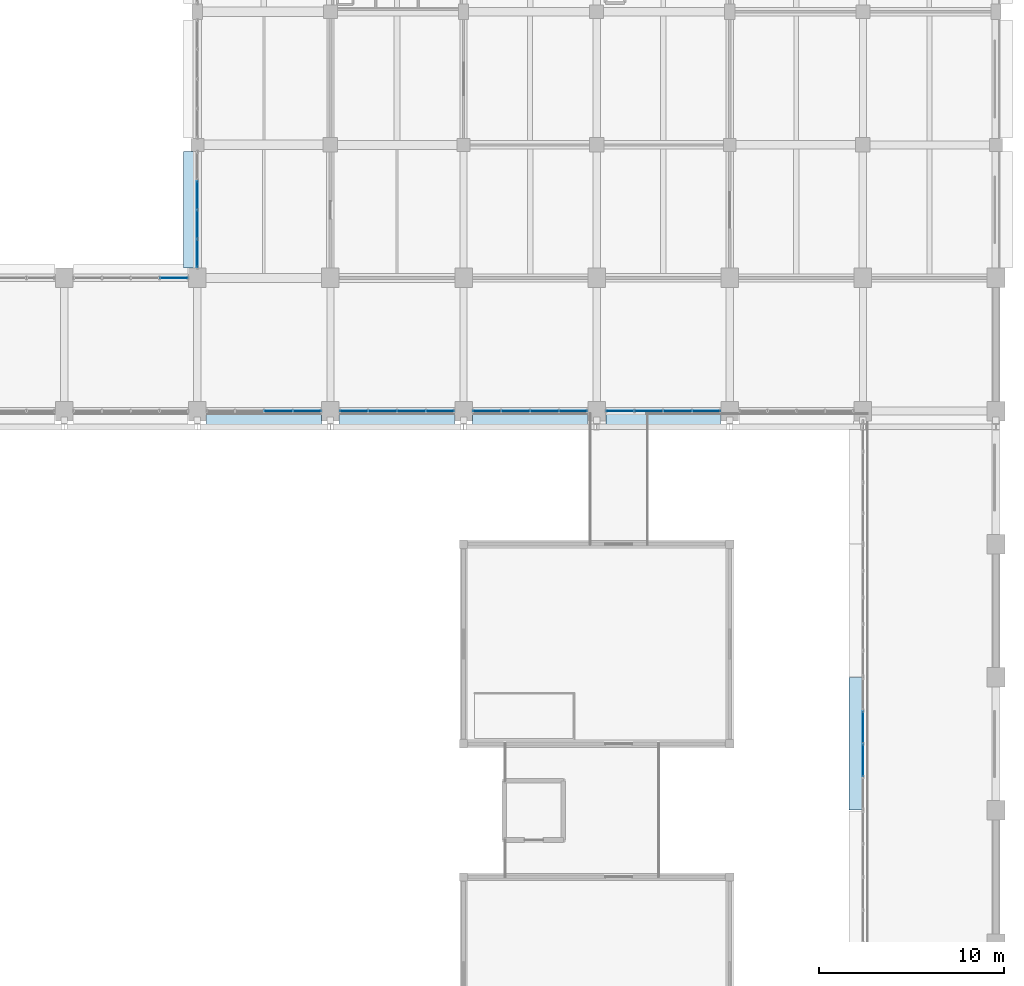
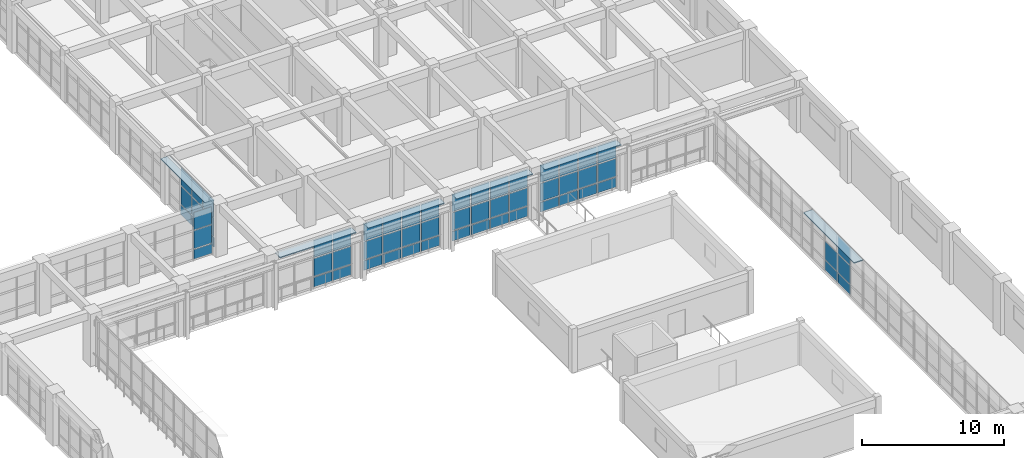
# One storey, part 142 of 171: 65 plates, 7 elements without a shape of their own.
"""IFC4 building model written with IfcOpenShell, lengths in metres."""

from ifc_helpers import new_model, si_unit, direction, frame, origin, origin_2d, place, context, subcontext, project, spatial, rectangle, extrude, material, layer, layer_set, type_object, element, aggregate, save


model = new_model("IFC4")

# Units and contexts
model_context = context("Model", 3, precision=1e-05, world=origin(), true_north=direction((0.0, 1.0)))
body_context = subcontext(model_context, "Body", "Model", "MODEL_VIEW")
ifc_project = project(units=[si_unit("LENGTHUNIT", "METRE"), si_unit("AREAUNIT", "SQUARE_METRE"), si_unit("VOLUMEUNIT", "CUBIC_METRE"), si_unit("PLANEANGLEUNIT", "RADIAN"), si_unit("MASSUNIT", "GRAM", prefix="KILO")], contexts=[model_context])

# Site, building, storey
site_placement = place(None, origin())
site = spatial("IfcSite", under=ifc_project, at=site_placement, CompositionType="ELEMENT")
building_placement = place(site_placement, origin())
building = spatial("IfcBuilding", under=site, at=building_placement, Name="Thalmaran Polytechnic", CompositionType="ELEMENT")
storey_placement = place(building_placement, frame((0.0, 0.0, 5.39990234375)))
storey = spatial("IfcBuildingStorey", under=building, at=storey_placement, Name="L01", CompositionType="ELEMENT", Elevation=5.39990234375)

# Plates
ifc_material_1 = material(Name="Anodised aluminium sun-hood eyebrow", Category="aluminium")
ifc_layer_1 = layer(ifc_material_1, 0.0849609375, Name="Anodised aluminium sun-hood eyebrow")
ifc_layer_set_1 = layer_set([ifc_layer_1], Name="Anodised aluminium sun-hood eyebrow")
plate_type_1 = type_object("IfcPlateType", Name="PT-EB01", PredefinedType="SHEET", material=ifc_layer_set_1)
plate_1_placement = place(storey_placement, frame((165.239990234375, 32.39990234375, 4.107666015625), z_axis=(0.0, 0.0, 1.0), x_axis=(0.0, 1.0, 0.0)))
element("IfcPlate", 1, at=plate_1_placement, inside=storey, type_object=plate_type_1, Name="Streamline Sun-Hood Eyebrow L01-CW121", PredefinedType="SHEET", context=body_context, shape_type="SweptSolid", body=[
    extrude(rectangle(XDim=7.159912109375, YDim=0.760009765625, at=origin_2d()), origin(), (0.0, 0.0, 1.0), 0.0849609375),
])
for number, where, z_axis, x_axis, name in (
    (2, (154.800048828125, 50.0400390625, 4.107666015625), (0.0, 0.0, 1.0), (-1.0, 0.0, 0.0), "Streamline Sun-Hood Eyebrow L01-CW125"),
    (3, (147.60009765625, 50.0400390625, 4.107666015625), (0.0, 0.0, 1.0), (-1.0, 0.0, 0.0), "Streamline Sun-Hood Eyebrow L01-CW126"),
    (4, (140.39990234375, 50.0400390625, 4.107666015625), (0.0, 0.0, 1.0), (-1.0, 0.0, 0.0), "Streamline Sun-Hood Eyebrow L01-CW127"),
    (5, (133.199951171875, 50.0400390625, 4.107666015625), (0.0, 0.0, 1.0), (-1.0, 0.0, 0.0), "Streamline Sun-Hood Eyebrow L01-CW128"),
):
    element("IfcPlate", number, at=place(storey_placement, frame(where, z_axis=z_axis, x_axis=x_axis)), inside=storey, type_object=plate_type_1, Name=name, PredefinedType="SHEET", context=body_context, shape_type="SweptSolid", body=[
        extrude(rectangle(XDim=6.2099609375, YDim=0.760009765625, at=origin_2d()), origin(), (0.0, 0.0, 1.0), 0.0849609375),
    ])
plate_2_placement = place(storey_placement, frame((129.239990234375, 61.28759765625, 4.107666015625), z_axis=(0.0, 0.0, 1.0), x_axis=(0.0, 1.0, 0.0)))
element("IfcPlate", 6, at=plate_2_placement, inside=storey, type_object=plate_type_1, Name="Streamline Sun-Hood Eyebrow L01-CW180", PredefinedType="SHEET", context=body_context, shape_type="SweptSolid", body=[
    extrude(rectangle(XDim=6.284912109375, YDim=0.760009765625, at=origin_2d()), origin(), (0.0, 0.0, 1.0), 0.0849609375),
])

# Curtain wall, plates
ifc_material_2 = material(Name="Aluminium 6063-T6", Category="aluminium")
curtain_wall_type = type_object("IfcCurtainWallType", Name="CW-UC02", PredefinedType="USERDEFINED", material=ifc_material_2)
curtain_wall_1_placement = place(storey_placement, origin())
curtain_wall_1 = element("IfcCurtainWall", 7, at=curtain_wall_1_placement, inside=storey, type_object=curtain_wall_type, Name="Curtain Wall CW-L01-125", ObjectType="UNITISED CURTAIN WALL", PredefinedType="USERDEFINED")
ifc_material_3 = material(Name="Solar-control double low-E glass", Category="glass")
ifc_layer_2 = layer(ifc_material_3, 0.035888671875, Name="Solar-control double low-E glass")
ifc_layer_set_2 = layer_set([ifc_layer_2], Name="Solar-control double low-E glass")
plate_type_2 = type_object("IfcPlateType", Name="PT-GL01", PredefinedType="CURTAIN_PANEL", material=ifc_layer_set_2)
plate_3_placement = place(storey_placement, frame((157.143798828125, 50.39990234375, 1.000244140625), z_axis=(0.0, 0.0, 1.0), x_axis=(-1.0, 0.0, 0.0)))
plate_3 = element("IfcPlate", 8, at=plate_3_placement, type_object=plate_type_2, Name="CW-L01-125 Vision Panel 1-2", PredefinedType="CURTAIN_PANEL", context=body_context, shape_type="SweptSolid", body=[
    extrude(rectangle(XDim=1.46240234375, YDim=0.035888671875, at=origin_2d()), origin(), (0.0, 0.0, 1.0), 1.544921875),
])
plate_4_placement = place(storey_placement, frame((157.143798828125, 50.39990234375, 2.625), z_axis=(0.0, 0.0, 1.0), x_axis=(-1.0, 0.0, 0.0)))
plate_4 = element("IfcPlate", 9, at=plate_4_placement, type_object=plate_type_2, Name="CW-L01-125 Vision Panel 1-3", PredefinedType="CURTAIN_PANEL", context=body_context, shape_type="SweptSolid", body=[
    extrude(rectangle(XDim=1.46240234375, YDim=0.035888671875, at=origin_2d()), origin(), (0.0, 0.0, 1.0), 1.485107421875),
])
plate_5_placement = place(storey_placement, frame((155.581298828125, 50.39990234375, 1.000244140625), z_axis=(0.0, 0.0, 1.0), x_axis=(-1.0, 0.0, 0.0)))
plate_5 = element("IfcPlate", 10, at=plate_5_placement, type_object=plate_type_2, Name="CW-L01-125 Vision Panel 2-2", PredefinedType="CURTAIN_PANEL", context=body_context, shape_type="SweptSolid", body=[
    extrude(rectangle(XDim=1.46240234375, YDim=0.035888671875, at=origin_2d()), origin(), (0.0, 0.0, 1.0), 1.544921875),
])
plate_6_placement = place(storey_placement, frame((155.581298828125, 50.39990234375, 2.625), z_axis=(0.0, 0.0, 1.0), x_axis=(-1.0, 0.0, 0.0)))
plate_6 = element("IfcPlate", 11, at=plate_6_placement, type_object=plate_type_2, Name="CW-L01-125 Vision Panel 2-3", PredefinedType="CURTAIN_PANEL", context=body_context, shape_type="SweptSolid", body=[
    extrude(rectangle(XDim=1.46240234375, YDim=0.035888671875, at=origin_2d()), origin(), (0.0, 0.0, 1.0), 1.485107421875),
])
plate_7_placement = place(storey_placement, frame((154.018798828125, 50.39990234375, 1.000244140625), z_axis=(0.0, 0.0, 1.0), x_axis=(-1.0, 0.0, 0.0)))
plate_7 = element("IfcPlate", 12, at=plate_7_placement, type_object=plate_type_2, Name="CW-L01-125 Vision Panel 3-2", PredefinedType="CURTAIN_PANEL", context=body_context, shape_type="SweptSolid", body=[
    extrude(rectangle(XDim=1.46240234375, YDim=0.035888671875, at=origin_2d()), origin(), (0.0, 0.0, 1.0), 1.544921875),
])
plate_8_placement = place(storey_placement, frame((154.018798828125, 50.39990234375, 2.625), z_axis=(0.0, 0.0, 1.0), x_axis=(-1.0, 0.0, 0.0)))
plate_8 = element("IfcPlate", 13, at=plate_8_placement, type_object=plate_type_2, Name="CW-L01-125 Vision Panel 3-3", PredefinedType="CURTAIN_PANEL", context=body_context, shape_type="SweptSolid", body=[
    extrude(rectangle(XDim=1.46240234375, YDim=0.035888671875, at=origin_2d()), origin(), (0.0, 0.0, 1.0), 1.485107421875),
])
plate_9_placement = place(storey_placement, frame((152.456298828125, 50.39990234375, 1.000244140625), z_axis=(0.0, 0.0, 1.0), x_axis=(-1.0, 0.0, 0.0)))
plate_9 = element("IfcPlate", 14, at=plate_9_placement, type_object=plate_type_2, Name="CW-L01-125 Vision Panel 4-2", PredefinedType="CURTAIN_PANEL", context=body_context, shape_type="SweptSolid", body=[
    extrude(rectangle(XDim=1.46240234375, YDim=0.035888671875, at=origin_2d()), origin(), (0.0, 0.0, 1.0), 1.544921875),
])
plate_10_placement = place(storey_placement, frame((152.456298828125, 50.39990234375, 2.625), z_axis=(0.0, 0.0, 1.0), x_axis=(-1.0, 0.0, 0.0)))
plate_10 = element("IfcPlate", 15, at=plate_10_placement, type_object=plate_type_2, Name="CW-L01-125 Vision Panel 4-3", PredefinedType="CURTAIN_PANEL", context=body_context, shape_type="SweptSolid", body=[
    extrude(rectangle(XDim=1.46240234375, YDim=0.035888671875, at=origin_2d()), origin(), (0.0, 0.0, 1.0), 1.485107421875),
])

curtain_wall_2_placement = place(storey_placement, origin())
curtain_wall_2 = element("IfcCurtainWall", 16, at=curtain_wall_2_placement, inside=storey, type_object=curtain_wall_type, Name="Curtain Wall CW-L01-180", ObjectType="UNITISED CURTAIN WALL", PredefinedType="USERDEFINED")
plate_11_placement = place(storey_placement, frame((129.60009765625, 58.91552734375, 1.000244140625), z_axis=(0.0, 0.0, 1.0), x_axis=(0.0, 1.0, 0.0)))
plate_11 = element("IfcPlate", 17, at=plate_11_placement, type_object=plate_type_2, Name="CW-L01-180 Vision Panel 1-2", PredefinedType="CURTAIN_PANEL", context=body_context, shape_type="SweptSolid", body=[
    extrude(rectangle(XDim=1.481201171875, YDim=0.035888671875, at=origin_2d()), origin(), (0.0, 0.0, 1.0), 1.544921875),
])
plate_12_placement = place(storey_placement, frame((129.60009765625, 58.91552734375, 2.625), z_axis=(0.0, 0.0, 1.0), x_axis=(0.0, 1.0, 0.0)))
plate_12 = element("IfcPlate", 18, at=plate_12_placement, type_object=plate_type_2, Name="CW-L01-180 Vision Panel 1-3", PredefinedType="CURTAIN_PANEL", context=body_context, shape_type="SweptSolid", body=[
    extrude(rectangle(XDim=1.481201171875, YDim=0.035888671875, at=origin_2d()), origin(), (0.0, 0.0, 1.0), 1.485107421875),
])
plate_13_placement = place(storey_placement, frame((129.60009765625, 60.496826171875, 1.000244140625), z_axis=(0.0, 0.0, 1.0), x_axis=(0.0, 1.0, 0.0)))
plate_13 = element("IfcPlate", 19, at=plate_13_placement, type_object=plate_type_2, Name="CW-L01-180 Vision Panel 2-2", PredefinedType="CURTAIN_PANEL", context=body_context, shape_type="SweptSolid", body=[
    extrude(rectangle(XDim=1.481201171875, YDim=0.035888671875, at=origin_2d()), origin(), (0.0, 0.0, 1.0), 1.544921875),
])
plate_14_placement = place(storey_placement, frame((129.60009765625, 60.496826171875, 2.625), z_axis=(0.0, 0.0, 1.0), x_axis=(0.0, 1.0, 0.0)))
plate_14 = element("IfcPlate", 20, at=plate_14_placement, type_object=plate_type_2, Name="CW-L01-180 Vision Panel 2-3", PredefinedType="CURTAIN_PANEL", context=body_context, shape_type="SweptSolid", body=[
    extrude(rectangle(XDim=1.481201171875, YDim=0.035888671875, at=origin_2d()), origin(), (0.0, 0.0, 1.0), 1.485107421875),
])
plate_15_placement = place(storey_placement, frame((129.60009765625, 62.078125, 1.000244140625), z_axis=(0.0, 0.0, 1.0), x_axis=(0.0, 1.0, 0.0)))
plate_15 = element("IfcPlate", 21, at=plate_15_placement, type_object=plate_type_2, Name="CW-L01-180 Vision Panel 3-2", PredefinedType="CURTAIN_PANEL", context=body_context, shape_type="SweptSolid", body=[
    extrude(rectangle(XDim=1.481201171875, YDim=0.035888671875, at=origin_2d()), origin(), (0.0, 0.0, 1.0), 1.544921875),
])
plate_16_placement = place(storey_placement, frame((129.60009765625, 62.078125, 2.625), z_axis=(0.0, 0.0, 1.0), x_axis=(0.0, 1.0, 0.0)))
plate_16 = element("IfcPlate", 22, at=plate_16_placement, type_object=plate_type_2, Name="CW-L01-180 Vision Panel 3-3", PredefinedType="CURTAIN_PANEL", context=body_context, shape_type="SweptSolid", body=[
    extrude(rectangle(XDim=1.481201171875, YDim=0.035888671875, at=origin_2d()), origin(), (0.0, 0.0, 1.0), 1.485107421875),
])

curtain_wall_3_placement = place(storey_placement, origin())
curtain_wall_3 = element("IfcCurtainWall", 23, at=curtain_wall_3_placement, inside=storey, type_object=curtain_wall_type, Name="Curtain Wall CW-L01-121", ObjectType="UNITISED CURTAIN WALL", PredefinedType="USERDEFINED")
ifc_layer_3 = layer(ifc_material_3, 0.035888671875, Name="Solar-control double low-E glass")
ifc_layer_set_3 = layer_set([ifc_layer_3], Name="Solar-control double low-E glass")
plate_type_3 = type_object("IfcPlateType", Name="PT-GL02", PredefinedType="CURTAIN_PANEL", material=ifc_layer_set_3)
plate_17_placement = place(storey_placement, frame((165.60009765625, 31.5, 1.000244140625), z_axis=(0.0, 0.0, 1.0), x_axis=(0.0, 1.0, 0.0)))
plate_17 = element("IfcPlate", 24, at=plate_17_placement, type_object=plate_type_3, Name="CW-L01-121 Vision Panel 2-2", PredefinedType="CURTAIN_PANEL", context=body_context, shape_type="SweptSolid", body=[
    extrude(rectangle(XDim=1.699951171875, YDim=0.035888671875, at=origin_2d()), origin(), (0.0, 0.0, 1.0), 1.544921875),
])
plate_18_placement = place(storey_placement, frame((165.60009765625, 31.5, 2.625), z_axis=(0.0, 0.0, 1.0), x_axis=(0.0, 1.0, 0.0)))
plate_18 = element("IfcPlate", 25, at=plate_18_placement, type_object=plate_type_3, Name="CW-L01-121 Vision Panel 2-3", PredefinedType="CURTAIN_PANEL", context=body_context, shape_type="SweptSolid", body=[
    extrude(rectangle(XDim=1.699951171875, YDim=0.035888671875, at=origin_2d()), origin(), (0.0, 0.0, 1.0), 1.485107421875),
])
plate_19_placement = place(storey_placement, frame((165.60009765625, 33.300048828125, 1.000244140625), z_axis=(0.0, 0.0, 1.0), x_axis=(0.0, 1.0, 0.0)))
plate_19 = element("IfcPlate", 26, at=plate_19_placement, type_object=plate_type_3, Name="CW-L01-121 Vision Panel 3-2", PredefinedType="CURTAIN_PANEL", context=body_context, shape_type="SweptSolid", body=[
    extrude(rectangle(XDim=1.699951171875, YDim=0.035888671875, at=origin_2d()), origin(), (0.0, 0.0, 1.0), 1.544921875),
])

curtain_wall_4_placement = place(storey_placement, origin())
curtain_wall_4 = element("IfcCurtainWall", 27, at=curtain_wall_4_placement, inside=storey, type_object=curtain_wall_type, Name="Curtain Wall CW-L01-126", ObjectType="UNITISED CURTAIN WALL", PredefinedType="USERDEFINED")
plate_20_placement = place(storey_placement, frame((149.94384765625, 50.39990234375, 1.000244140625), z_axis=(0.0, 0.0, 1.0), x_axis=(-1.0, 0.0, 0.0)))
plate_20 = element("IfcPlate", 28, at=plate_20_placement, type_object=plate_type_3, Name="CW-L01-126 Vision Panel 1-2", PredefinedType="CURTAIN_PANEL", context=body_context, shape_type="SweptSolid", body=[
    extrude(rectangle(XDim=1.46240234375, YDim=0.035888671875, at=origin_2d()), origin(), (0.0, 0.0, 1.0), 1.544921875),
])
plate_21_placement = place(storey_placement, frame((149.94384765625, 50.39990234375, 2.625), z_axis=(0.0, 0.0, 1.0), x_axis=(-1.0, 0.0, 0.0)))
plate_21 = element("IfcPlate", 29, at=plate_21_placement, type_object=plate_type_3, Name="CW-L01-126 Vision Panel 1-3", PredefinedType="CURTAIN_PANEL", context=body_context, shape_type="SweptSolid", body=[
    extrude(rectangle(XDim=1.46240234375, YDim=0.035888671875, at=origin_2d()), origin(), (0.0, 0.0, 1.0), 1.485107421875),
])
plate_22_placement = place(storey_placement, frame((148.38134765625, 50.39990234375, 1.000244140625), z_axis=(0.0, 0.0, 1.0), x_axis=(-1.0, 0.0, 0.0)))
plate_22 = element("IfcPlate", 30, at=plate_22_placement, type_object=plate_type_3, Name="CW-L01-126 Vision Panel 2-2", PredefinedType="CURTAIN_PANEL", context=body_context, shape_type="SweptSolid", body=[
    extrude(rectangle(XDim=1.46240234375, YDim=0.035888671875, at=origin_2d()), origin(), (0.0, 0.0, 1.0), 1.544921875),
])
plate_23_placement = place(storey_placement, frame((148.38134765625, 50.39990234375, 2.625), z_axis=(0.0, 0.0, 1.0), x_axis=(-1.0, 0.0, 0.0)))
plate_23 = element("IfcPlate", 31, at=plate_23_placement, type_object=plate_type_3, Name="CW-L01-126 Vision Panel 2-3", PredefinedType="CURTAIN_PANEL", context=body_context, shape_type="SweptSolid", body=[
    extrude(rectangle(XDim=1.46240234375, YDim=0.035888671875, at=origin_2d()), origin(), (0.0, 0.0, 1.0), 1.485107421875),
])
plate_24_placement = place(storey_placement, frame((146.81884765625, 50.39990234375, 1.000244140625), z_axis=(0.0, 0.0, 1.0), x_axis=(-1.0, 0.0, 0.0)))
plate_24 = element("IfcPlate", 32, at=plate_24_placement, type_object=plate_type_3, Name="CW-L01-126 Vision Panel 3-2", PredefinedType="CURTAIN_PANEL", context=body_context, shape_type="SweptSolid", body=[
    extrude(rectangle(XDim=1.46240234375, YDim=0.035888671875, at=origin_2d()), origin(), (0.0, 0.0, 1.0), 1.544921875),
])
plate_25_placement = place(storey_placement, frame((146.81884765625, 50.39990234375, 2.625), z_axis=(0.0, 0.0, 1.0), x_axis=(-1.0, 0.0, 0.0)))
plate_25 = element("IfcPlate", 33, at=plate_25_placement, type_object=plate_type_3, Name="CW-L01-126 Vision Panel 3-3", PredefinedType="CURTAIN_PANEL", context=body_context, shape_type="SweptSolid", body=[
    extrude(rectangle(XDim=1.46240234375, YDim=0.035888671875, at=origin_2d()), origin(), (0.0, 0.0, 1.0), 1.485107421875),
])
plate_26_placement = place(storey_placement, frame((145.25634765625, 50.39990234375, 1.000244140625), z_axis=(0.0, 0.0, 1.0), x_axis=(-1.0, 0.0, 0.0)))
plate_26 = element("IfcPlate", 34, at=plate_26_placement, type_object=plate_type_3, Name="CW-L01-126 Vision Panel 4-2", PredefinedType="CURTAIN_PANEL", context=body_context, shape_type="SweptSolid", body=[
    extrude(rectangle(XDim=1.46240234375, YDim=0.035888671875, at=origin_2d()), origin(), (0.0, 0.0, 1.0), 1.544921875),
])
plate_27_placement = place(storey_placement, frame((145.25634765625, 50.39990234375, 2.625), z_axis=(0.0, 0.0, 1.0), x_axis=(-1.0, 0.0, 0.0)))
plate_27 = element("IfcPlate", 35, at=plate_27_placement, type_object=plate_type_3, Name="CW-L01-126 Vision Panel 4-3", PredefinedType="CURTAIN_PANEL", context=body_context, shape_type="SweptSolid", body=[
    extrude(rectangle(XDim=1.46240234375, YDim=0.035888671875, at=origin_2d()), origin(), (0.0, 0.0, 1.0), 1.485107421875),
])

curtain_wall_5_placement = place(storey_placement, origin())
curtain_wall_5 = element("IfcCurtainWall", 36, at=curtain_wall_5_placement, inside=storey, type_object=curtain_wall_type, Name="Curtain Wall CW-L01-127", ObjectType="UNITISED CURTAIN WALL", PredefinedType="USERDEFINED")
ifc_layer_4 = layer(ifc_material_3, 0.035888671875, Name="Solar-control double low-E glass")
ifc_layer_set_4 = layer_set([ifc_layer_4], Name="Solar-control double low-E glass")
plate_type_4 = type_object("IfcPlateType", Name="PT-GL03", PredefinedType="CURTAIN_PANEL", material=ifc_layer_set_4)
plate_28_placement = place(storey_placement, frame((142.74365234375, 50.39990234375, 1.000244140625), z_axis=(0.0, 0.0, 1.0), x_axis=(-1.0, 0.0, 0.0)))
plate_28 = element("IfcPlate", 37, at=plate_28_placement, type_object=plate_type_4, Name="CW-L01-127 Vision Panel 1-2", PredefinedType="CURTAIN_PANEL", context=body_context, shape_type="SweptSolid", body=[
    extrude(rectangle(XDim=1.46240234375, YDim=0.035888671875, at=origin_2d()), origin(), (0.0, 0.0, 1.0), 1.544921875),
])
plate_29_placement = place(storey_placement, frame((142.74365234375, 50.39990234375, 2.625), z_axis=(0.0, 0.0, 1.0), x_axis=(-1.0, 0.0, 0.0)))
plate_29 = element("IfcPlate", 38, at=plate_29_placement, type_object=plate_type_4, Name="CW-L01-127 Vision Panel 1-3", PredefinedType="CURTAIN_PANEL", context=body_context, shape_type="SweptSolid", body=[
    extrude(rectangle(XDim=1.46240234375, YDim=0.035888671875, at=origin_2d()), origin(), (0.0, 0.0, 1.0), 1.485107421875),
])
plate_30_placement = place(storey_placement, frame((141.18115234375, 50.39990234375, 1.000244140625), z_axis=(0.0, 0.0, 1.0), x_axis=(-1.0, 0.0, 0.0)))
plate_30 = element("IfcPlate", 39, at=plate_30_placement, type_object=plate_type_4, Name="CW-L01-127 Vision Panel 2-2", PredefinedType="CURTAIN_PANEL", context=body_context, shape_type="SweptSolid", body=[
    extrude(rectangle(XDim=1.46240234375, YDim=0.035888671875, at=origin_2d()), origin(), (0.0, 0.0, 1.0), 1.544921875),
])
plate_31_placement = place(storey_placement, frame((141.18115234375, 50.39990234375, 2.625), z_axis=(0.0, 0.0, 1.0), x_axis=(-1.0, 0.0, 0.0)))
plate_31 = element("IfcPlate", 40, at=plate_31_placement, type_object=plate_type_4, Name="CW-L01-127 Vision Panel 2-3", PredefinedType="CURTAIN_PANEL", context=body_context, shape_type="SweptSolid", body=[
    extrude(rectangle(XDim=1.46240234375, YDim=0.035888671875, at=origin_2d()), origin(), (0.0, 0.0, 1.0), 1.485107421875),
])
plate_32_placement = place(storey_placement, frame((139.61865234375, 50.39990234375, 1.000244140625), z_axis=(0.0, 0.0, 1.0), x_axis=(-1.0, 0.0, 0.0)))
plate_32 = element("IfcPlate", 41, at=plate_32_placement, type_object=plate_type_4, Name="CW-L01-127 Vision Panel 3-2", PredefinedType="CURTAIN_PANEL", context=body_context, shape_type="SweptSolid", body=[
    extrude(rectangle(XDim=1.46240234375, YDim=0.035888671875, at=origin_2d()), origin(), (0.0, 0.0, 1.0), 1.544921875),
])
plate_33_placement = place(storey_placement, frame((139.61865234375, 50.39990234375, 2.625), z_axis=(0.0, 0.0, 1.0), x_axis=(-1.0, 0.0, 0.0)))
plate_33 = element("IfcPlate", 42, at=plate_33_placement, type_object=plate_type_4, Name="CW-L01-127 Vision Panel 3-3", PredefinedType="CURTAIN_PANEL", context=body_context, shape_type="SweptSolid", body=[
    extrude(rectangle(XDim=1.46240234375, YDim=0.035888671875, at=origin_2d()), origin(), (0.0, 0.0, 1.0), 1.485107421875),
])
plate_34_placement = place(storey_placement, frame((138.05615234375, 50.39990234375, 1.000244140625), z_axis=(0.0, 0.0, 1.0), x_axis=(-1.0, 0.0, 0.0)))
plate_34 = element("IfcPlate", 43, at=plate_34_placement, type_object=plate_type_4, Name="CW-L01-127 Vision Panel 4-2", PredefinedType="CURTAIN_PANEL", context=body_context, shape_type="SweptSolid", body=[
    extrude(rectangle(XDim=1.46240234375, YDim=0.035888671875, at=origin_2d()), origin(), (0.0, 0.0, 1.0), 1.544921875),
])
plate_35_placement = place(storey_placement, frame((138.05615234375, 50.39990234375, 2.625), z_axis=(0.0, 0.0, 1.0), x_axis=(-1.0, 0.0, 0.0)))
plate_35 = element("IfcPlate", 44, at=plate_35_placement, type_object=plate_type_4, Name="CW-L01-127 Vision Panel 4-3", PredefinedType="CURTAIN_PANEL", context=body_context, shape_type="SweptSolid", body=[
    extrude(rectangle(XDim=1.46240234375, YDim=0.035888671875, at=origin_2d()), origin(), (0.0, 0.0, 1.0), 1.485107421875),
])

curtain_wall_6_placement = place(storey_placement, origin())
curtain_wall_6 = element("IfcCurtainWall", 45, at=curtain_wall_6_placement, inside=storey, type_object=curtain_wall_type, Name="Curtain Wall CW-L01-128", ObjectType="UNITISED CURTAIN WALL", PredefinedType="USERDEFINED")
ifc_layer_5 = layer(ifc_material_3, 0.035888671875, Name="Solar-control double low-E glass")
ifc_layer_set_5 = layer_set([ifc_layer_5], Name="Solar-control double low-E glass")
plate_type_5 = type_object("IfcPlateType", Name="PT-GL04", PredefinedType="CURTAIN_PANEL", material=ifc_layer_set_5)
plate_36_placement = place(storey_placement, frame((135.543701171875, 50.39990234375, 1.000244140625), z_axis=(0.0, 0.0, 1.0), x_axis=(-1.0, 0.0, 0.0)))
plate_36 = element("IfcPlate", 46, at=plate_36_placement, type_object=plate_type_5, Name="CW-L01-128 Vision Panel 1-2", PredefinedType="CURTAIN_PANEL", context=body_context, shape_type="SweptSolid", body=[
    extrude(rectangle(XDim=1.46240234375, YDim=0.035888671875, at=origin_2d()), origin(), (0.0, 0.0, 1.0), 1.544921875),
])
plate_37_placement = place(storey_placement, frame((135.543701171875, 50.39990234375, 2.625), z_axis=(0.0, 0.0, 1.0), x_axis=(-1.0, 0.0, 0.0)))
plate_37 = element("IfcPlate", 47, at=plate_37_placement, type_object=plate_type_5, Name="CW-L01-128 Vision Panel 1-3", PredefinedType="CURTAIN_PANEL", context=body_context, shape_type="SweptSolid", body=[
    extrude(rectangle(XDim=1.46240234375, YDim=0.035888671875, at=origin_2d()), origin(), (0.0, 0.0, 1.0), 1.485107421875),
])
plate_38_placement = place(storey_placement, frame((133.981201171875, 50.39990234375, 1.000244140625), z_axis=(0.0, 0.0, 1.0), x_axis=(-1.0, 0.0, 0.0)))
plate_38 = element("IfcPlate", 48, at=plate_38_placement, type_object=plate_type_5, Name="CW-L01-128 Vision Panel 2-2", PredefinedType="CURTAIN_PANEL", context=body_context, shape_type="SweptSolid", body=[
    extrude(rectangle(XDim=1.46240234375, YDim=0.035888671875, at=origin_2d()), origin(), (0.0, 0.0, 1.0), 1.544921875),
])
plate_39_placement = place(storey_placement, frame((133.981201171875, 50.39990234375, 2.625), z_axis=(0.0, 0.0, 1.0), x_axis=(-1.0, 0.0, 0.0)))
plate_39 = element("IfcPlate", 49, at=plate_39_placement, type_object=plate_type_5, Name="CW-L01-128 Vision Panel 2-3", PredefinedType="CURTAIN_PANEL", context=body_context, shape_type="SweptSolid", body=[
    extrude(rectangle(XDim=1.46240234375, YDim=0.035888671875, at=origin_2d()), origin(), (0.0, 0.0, 1.0), 1.485107421875),
])

curtain_wall_7_placement = place(storey_placement, origin())
curtain_wall_7 = element("IfcCurtainWall", 50, at=curtain_wall_7_placement, inside=storey, type_object=curtain_wall_type, Name="Curtain Wall CW-L01-179", ObjectType="UNITISED CURTAIN WALL", PredefinedType="USERDEFINED")
ifc_layer_6 = layer(ifc_material_3, 0.035888671875, Name="Solar-control double low-E glass")
ifc_layer_set_6 = layer_set([ifc_layer_6], Name="Solar-control double low-E glass")
plate_type_6 = type_object("IfcPlateType", Name="PT-GL05", PredefinedType="CURTAIN_PANEL", material=ifc_layer_set_6)
plate_40_placement = place(storey_placement, frame((128.34375, 57.60009765625, 1.000244140625), z_axis=(0.0, 0.0, 1.0), x_axis=(1.0, 0.0, 0.0)))
plate_40 = element("IfcPlate", 51, at=plate_40_placement, type_object=plate_type_6, Name="CW-L01-179 Vision Panel 4-2", PredefinedType="CURTAIN_PANEL", context=body_context, shape_type="SweptSolid", body=[
    extrude(rectangle(XDim=1.46240234375, YDim=0.035888671875, at=origin_2d()), origin(), (0.0, 0.0, 1.0), 1.544921875),
])
plate_41_placement = place(storey_placement, frame((128.34375, 57.60009765625, 2.625), z_axis=(0.0, 0.0, 1.0), x_axis=(1.0, 0.0, 0.0)))
plate_41 = element("IfcPlate", 52, at=plate_41_placement, type_object=plate_type_6, Name="CW-L01-179 Vision Panel 4-3", PredefinedType="CURTAIN_PANEL", context=body_context, shape_type="SweptSolid", body=[
    extrude(rectangle(XDim=1.46240234375, YDim=0.035888671875, at=origin_2d()), origin(), (0.0, 0.0, 1.0), 1.485107421875),
])

# Plate
ifc_material_4 = material(Name="Insulated anodised aluminium spandrel", Category="aluminium")
ifc_layer_7 = layer(ifc_material_4, 0.06005859375, Name="Insulated anodised aluminium spandrel")
ifc_layer_set_7 = layer_set([ifc_layer_7], Name="Insulated anodised aluminium spandrel")
plate_type_7 = type_object("IfcPlateType", Name="PT-SP01", PredefinedType="CURTAIN_PANEL", material=ifc_layer_set_7)
plate_42_placement = place(storey_placement, frame((149.94384765625, 50.39990234375, 0.10009765625), z_axis=(0.0, 0.0, 1.0), x_axis=(-1.0, 0.0, 0.0)))
plate_42 = element("IfcPlate", 53, at=plate_42_placement, type_object=plate_type_7, Name="CW-L01-126 Spandrel Panel 1-1", PredefinedType="CURTAIN_PANEL", context=body_context, shape_type="SweptSolid", body=[
    extrude(rectangle(XDim=1.46240234375, YDim=0.06005859375, at=origin_2d()), origin(), (0.0, 0.0, 1.0), 0.820068359375),
])

plate_43_placement = place(storey_placement, frame((148.38134765625, 50.39990234375, 0.10009765625), z_axis=(0.0, 0.0, 1.0), x_axis=(-1.0, 0.0, 0.0)))
plate_43 = element("IfcPlate", 54, at=plate_43_placement, type_object=plate_type_7, Name="CW-L01-126 Spandrel Panel 2-1", PredefinedType="CURTAIN_PANEL", context=body_context, shape_type="SweptSolid", body=[
    extrude(rectangle(XDim=1.46240234375, YDim=0.06005859375, at=origin_2d()), origin(), (0.0, 0.0, 1.0), 0.820068359375),
])

plate_44_placement = place(storey_placement, frame((146.81884765625, 50.39990234375, 0.10009765625), z_axis=(0.0, 0.0, 1.0), x_axis=(-1.0, 0.0, 0.0)))
plate_44 = element("IfcPlate", 55, at=plate_44_placement, type_object=plate_type_7, Name="CW-L01-126 Spandrel Panel 3-1", PredefinedType="CURTAIN_PANEL", context=body_context, shape_type="SweptSolid", body=[
    extrude(rectangle(XDim=1.46240234375, YDim=0.06005859375, at=origin_2d()), origin(), (0.0, 0.0, 1.0), 0.820068359375),
])

plate_45_placement = place(storey_placement, frame((145.25634765625, 50.39990234375, 0.10009765625), z_axis=(0.0, 0.0, 1.0), x_axis=(-1.0, 0.0, 0.0)))
plate_45 = element("IfcPlate", 56, at=plate_45_placement, type_object=plate_type_7, Name="CW-L01-126 Spandrel Panel 4-1", PredefinedType="CURTAIN_PANEL", context=body_context, shape_type="SweptSolid", body=[
    extrude(rectangle(XDim=1.46240234375, YDim=0.06005859375, at=origin_2d()), origin(), (0.0, 0.0, 1.0), 0.820068359375),
])

aggregate(curtain_wall_4, [plate_42, plate_20, plate_21, plate_43, plate_22, plate_23, plate_44, plate_24, plate_25, plate_45, plate_26, plate_27])

plate_46_placement = place(storey_placement, frame((129.60009765625, 58.91552734375, 0.10009765625), z_axis=(0.0, 0.0, 1.0), x_axis=(0.0, 1.0, 0.0)))
plate_46 = element("IfcPlate", 57, at=plate_46_placement, type_object=plate_type_7, Name="CW-L01-180 Spandrel Panel 1-1", PredefinedType="CURTAIN_PANEL", context=body_context, shape_type="SweptSolid", body=[
    extrude(rectangle(XDim=1.481201171875, YDim=0.06005859375, at=origin_2d()), origin(), (0.0, 0.0, 1.0), 0.820068359375),
])

plate_47_placement = place(storey_placement, frame((129.60009765625, 60.496826171875, 0.10009765625), z_axis=(0.0, 0.0, 1.0), x_axis=(0.0, 1.0, 0.0)))
plate_47 = element("IfcPlate", 58, at=plate_47_placement, type_object=plate_type_7, Name="CW-L01-180 Spandrel Panel 2-1", PredefinedType="CURTAIN_PANEL", context=body_context, shape_type="SweptSolid", body=[
    extrude(rectangle(XDim=1.481201171875, YDim=0.06005859375, at=origin_2d()), origin(), (0.0, 0.0, 1.0), 0.820068359375),
])

plate_48_placement = place(storey_placement, frame((129.60009765625, 62.078125, 0.10009765625), z_axis=(0.0, 0.0, 1.0), x_axis=(0.0, 1.0, 0.0)))
plate_48 = element("IfcPlate", 59, at=plate_48_placement, type_object=plate_type_7, Name="CW-L01-180 Spandrel Panel 3-1", PredefinedType="CURTAIN_PANEL", context=body_context, shape_type="SweptSolid", body=[
    extrude(rectangle(XDim=1.481201171875, YDim=0.06005859375, at=origin_2d()), origin(), (0.0, 0.0, 1.0), 0.820068359375),
])

aggregate(curtain_wall_2, [plate_46, plate_11, plate_12, plate_47, plate_13, plate_14, plate_48, plate_15, plate_16])

ifc_layer_8 = layer(ifc_material_4, 0.06005859375, Name="Insulated anodised aluminium spandrel")
ifc_layer_set_8 = layer_set([ifc_layer_8], Name="Insulated anodised aluminium spandrel")
plate_type_8 = type_object("IfcPlateType", Name="PT-SP02", PredefinedType="CURTAIN_PANEL", material=ifc_layer_set_8)
plate_49_placement = place(storey_placement, frame((165.60009765625, 31.5, 0.10009765625), z_axis=(0.0, 0.0, 1.0), x_axis=(0.0, 1.0, 0.0)))
plate_49 = element("IfcPlate", 60, at=plate_49_placement, type_object=plate_type_8, Name="CW-L01-121 Spandrel Panel 2-1", PredefinedType="CURTAIN_PANEL", context=body_context, shape_type="SweptSolid", body=[
    extrude(rectangle(XDim=1.699951171875, YDim=0.06005859375, at=origin_2d()), origin(), (0.0, 0.0, 1.0), 0.820068359375),
])

plate_50_placement = place(storey_placement, frame((165.60009765625, 33.300048828125, 0.10009765625), z_axis=(0.0, 0.0, 1.0), x_axis=(0.0, 1.0, 0.0)))
plate_50 = element("IfcPlate", 61, at=plate_50_placement, type_object=plate_type_8, Name="CW-L01-121 Spandrel Panel 3-1", PredefinedType="CURTAIN_PANEL", context=body_context, shape_type="SweptSolid", body=[
    extrude(rectangle(XDim=1.699951171875, YDim=0.06005859375, at=origin_2d()), origin(), (0.0, 0.0, 1.0), 0.820068359375),
])

aggregate(curtain_wall_3, [plate_49, plate_17, plate_18, plate_50, plate_19])

plate_51_placement = place(storey_placement, frame((142.74365234375, 50.39990234375, 0.10009765625), z_axis=(0.0, 0.0, 1.0), x_axis=(-1.0, 0.0, 0.0)))
plate_51 = element("IfcPlate", 62, at=plate_51_placement, type_object=plate_type_8, Name="CW-L01-127 Spandrel Panel 1-1", PredefinedType="CURTAIN_PANEL", context=body_context, shape_type="SweptSolid", body=[
    extrude(rectangle(XDim=1.46240234375, YDim=0.06005859375, at=origin_2d()), origin(), (0.0, 0.0, 1.0), 0.820068359375),
])

plate_52_placement = place(storey_placement, frame((141.18115234375, 50.39990234375, 0.10009765625), z_axis=(0.0, 0.0, 1.0), x_axis=(-1.0, 0.0, 0.0)))
plate_52 = element("IfcPlate", 63, at=plate_52_placement, type_object=plate_type_8, Name="CW-L01-127 Spandrel Panel 2-1", PredefinedType="CURTAIN_PANEL", context=body_context, shape_type="SweptSolid", body=[
    extrude(rectangle(XDim=1.46240234375, YDim=0.06005859375, at=origin_2d()), origin(), (0.0, 0.0, 1.0), 0.820068359375),
])

plate_53_placement = place(storey_placement, frame((139.61865234375, 50.39990234375, 0.10009765625), z_axis=(0.0, 0.0, 1.0), x_axis=(-1.0, 0.0, 0.0)))
plate_53 = element("IfcPlate", 64, at=plate_53_placement, type_object=plate_type_8, Name="CW-L01-127 Spandrel Panel 3-1", PredefinedType="CURTAIN_PANEL", context=body_context, shape_type="SweptSolid", body=[
    extrude(rectangle(XDim=1.46240234375, YDim=0.06005859375, at=origin_2d()), origin(), (0.0, 0.0, 1.0), 0.820068359375),
])

plate_54_placement = place(storey_placement, frame((138.05615234375, 50.39990234375, 0.10009765625), z_axis=(0.0, 0.0, 1.0), x_axis=(-1.0, 0.0, 0.0)))
plate_54 = element("IfcPlate", 65, at=plate_54_placement, type_object=plate_type_8, Name="CW-L01-127 Spandrel Panel 4-1", PredefinedType="CURTAIN_PANEL", context=body_context, shape_type="SweptSolid", body=[
    extrude(rectangle(XDim=1.46240234375, YDim=0.06005859375, at=origin_2d()), origin(), (0.0, 0.0, 1.0), 0.820068359375),
])

aggregate(curtain_wall_5, [plate_51, plate_28, plate_29, plate_52, plate_30, plate_31, plate_53, plate_32, plate_33, plate_54, plate_34, plate_35])

ifc_layer_9 = layer(ifc_material_4, 0.06005859375, Name="Insulated anodised aluminium spandrel")
ifc_layer_set_9 = layer_set([ifc_layer_9], Name="Insulated anodised aluminium spandrel")
plate_type_9 = type_object("IfcPlateType", Name="PT-SP03", PredefinedType="CURTAIN_PANEL", material=ifc_layer_set_9)
plate_55_placement = place(storey_placement, frame((157.143798828125, 50.39990234375, 0.10009765625), z_axis=(0.0, 0.0, 1.0), x_axis=(-1.0, 0.0, 0.0)))
plate_55 = element("IfcPlate", 66, at=plate_55_placement, type_object=plate_type_9, Name="CW-L01-125 Spandrel Panel 1-1", PredefinedType="CURTAIN_PANEL", context=body_context, shape_type="SweptSolid", body=[
    extrude(rectangle(XDim=1.46240234375, YDim=0.06005859375, at=origin_2d()), origin(), (0.0, 0.0, 1.0), 0.820068359375),
])

plate_56_placement = place(storey_placement, frame((155.581298828125, 50.39990234375, 0.10009765625), z_axis=(0.0, 0.0, 1.0), x_axis=(-1.0, 0.0, 0.0)))
plate_56 = element("IfcPlate", 67, at=plate_56_placement, type_object=plate_type_9, Name="CW-L01-125 Spandrel Panel 2-1", PredefinedType="CURTAIN_PANEL", context=body_context, shape_type="SweptSolid", body=[
    extrude(rectangle(XDim=1.46240234375, YDim=0.06005859375, at=origin_2d()), origin(), (0.0, 0.0, 1.0), 0.820068359375),
])

plate_57_placement = place(storey_placement, frame((154.018798828125, 50.39990234375, 0.10009765625), z_axis=(0.0, 0.0, 1.0), x_axis=(-1.0, 0.0, 0.0)))
plate_57 = element("IfcPlate", 68, at=plate_57_placement, type_object=plate_type_9, Name="CW-L01-125 Spandrel Panel 3-1", PredefinedType="CURTAIN_PANEL", context=body_context, shape_type="SweptSolid", body=[
    extrude(rectangle(XDim=1.46240234375, YDim=0.06005859375, at=origin_2d()), origin(), (0.0, 0.0, 1.0), 0.820068359375),
])

plate_58_placement = place(storey_placement, frame((152.456298828125, 50.39990234375, 0.10009765625), z_axis=(0.0, 0.0, 1.0), x_axis=(-1.0, 0.0, 0.0)))
plate_58 = element("IfcPlate", 69, at=plate_58_placement, type_object=plate_type_9, Name="CW-L01-125 Spandrel Panel 4-1", PredefinedType="CURTAIN_PANEL", context=body_context, shape_type="SweptSolid", body=[
    extrude(rectangle(XDim=1.46240234375, YDim=0.06005859375, at=origin_2d()), origin(), (0.0, 0.0, 1.0), 0.820068359375),
])

aggregate(curtain_wall_1, [plate_55, plate_3, plate_4, plate_56, plate_5, plate_6, plate_57, plate_7, plate_8, plate_58, plate_9, plate_10])

plate_59_placement = place(storey_placement, frame((135.543701171875, 50.39990234375, 0.10009765625), z_axis=(0.0, 0.0, 1.0), x_axis=(-1.0, 0.0, 0.0)))
plate_59 = element("IfcPlate", 70, at=plate_59_placement, type_object=plate_type_9, Name="CW-L01-128 Spandrel Panel 1-1", PredefinedType="CURTAIN_PANEL", context=body_context, shape_type="SweptSolid", body=[
    extrude(rectangle(XDim=1.46240234375, YDim=0.06005859375, at=origin_2d()), origin(), (0.0, 0.0, 1.0), 0.820068359375),
])

plate_60_placement = place(storey_placement, frame((133.981201171875, 50.39990234375, 0.10009765625), z_axis=(0.0, 0.0, 1.0), x_axis=(-1.0, 0.0, 0.0)))
plate_60 = element("IfcPlate", 71, at=plate_60_placement, type_object=plate_type_9, Name="CW-L01-128 Spandrel Panel 2-1", PredefinedType="CURTAIN_PANEL", context=body_context, shape_type="SweptSolid", body=[
    extrude(rectangle(XDim=1.46240234375, YDim=0.06005859375, at=origin_2d()), origin(), (0.0, 0.0, 1.0), 0.820068359375),
])

aggregate(curtain_wall_6, [plate_59, plate_36, plate_37, plate_60, plate_38, plate_39])

plate_61_placement = place(storey_placement, frame((128.34375, 57.60009765625, 0.10009765625), z_axis=(0.0, 0.0, 1.0), x_axis=(1.0, 0.0, 0.0)))
plate_61 = element("IfcPlate", 72, at=plate_61_placement, type_object=plate_type_9, Name="CW-L01-179 Spandrel Panel 4-1", PredefinedType="CURTAIN_PANEL", context=body_context, shape_type="SweptSolid", body=[
    extrude(rectangle(XDim=1.46240234375, YDim=0.06005859375, at=origin_2d()), origin(), (0.0, 0.0, 1.0), 0.820068359375),
])

aggregate(curtain_wall_7, [plate_61, plate_40, plate_41])

save(model, "model.ifc")
